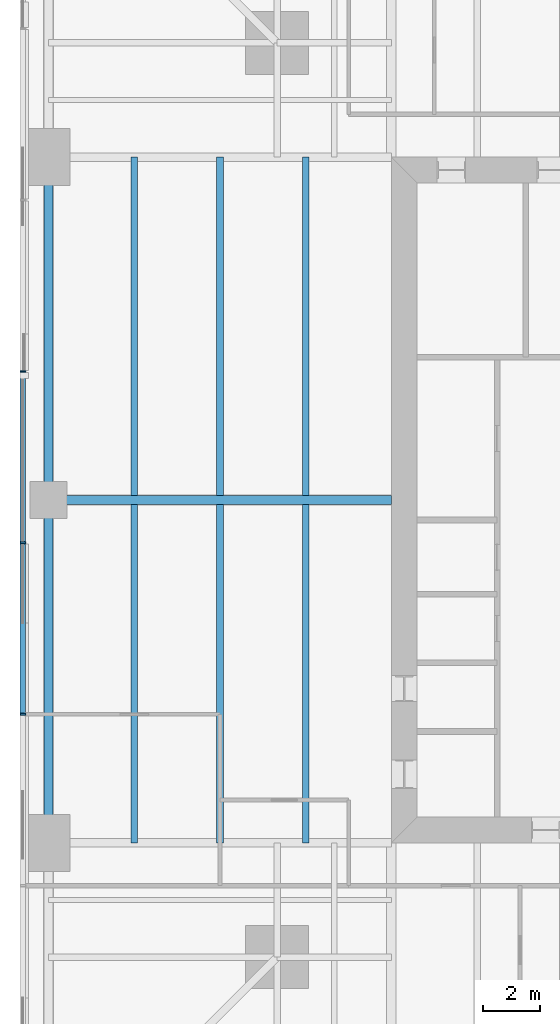
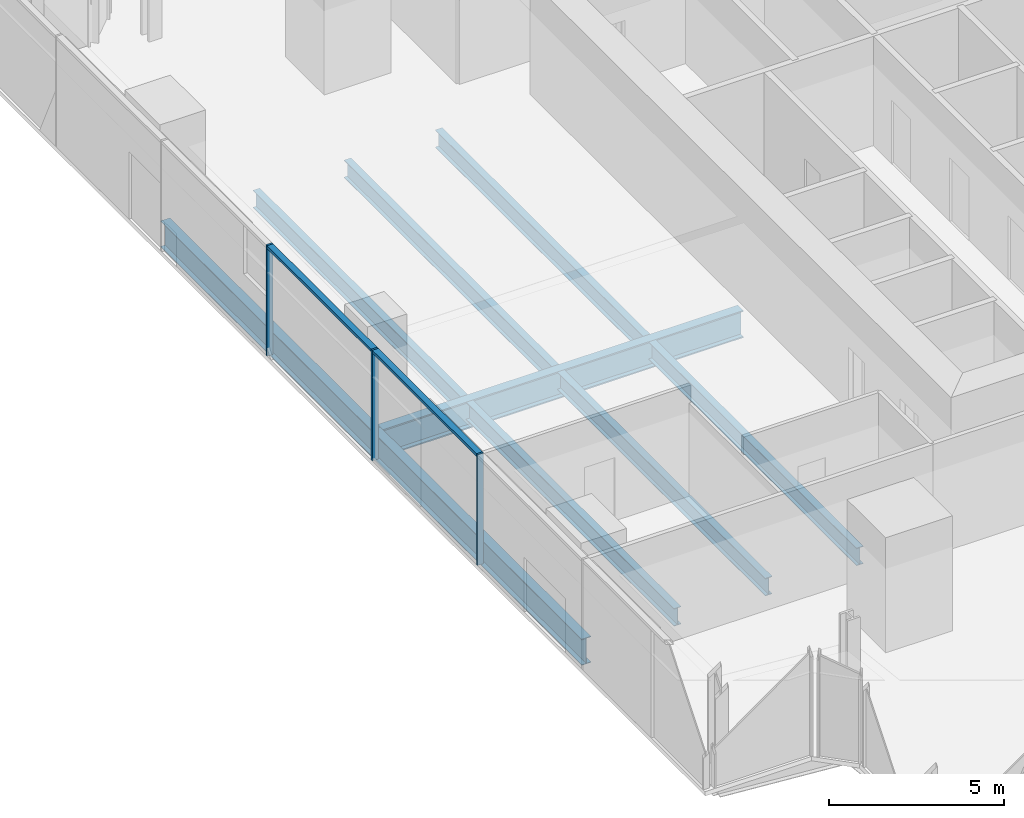
# One storey, part 4 of 14: 9 beams, 5 members, 1 element without a shape of its own.
"""IFC4 building model written with IfcOpenShell, lengths in metres."""

from ifc_helpers import new_model, si_unit, direction, frame, origin, origin_2d, place, context, subcontext, project, spatial, rectangle, i_section, extrude, material, material_profile, profile_set, type_object, element, aggregate, save


model = new_model("IFC4")

# Units and contexts
model_context = context("Model", 3, precision=1e-05, world=origin(), true_north=direction((0.0, 1.0)))
body_context = subcontext(model_context, "Body", "Model", "MODEL_VIEW")
ifc_project = project(units=[si_unit("LENGTHUNIT", "METRE"), si_unit("AREAUNIT", "SQUARE_METRE"), si_unit("VOLUMEUNIT", "CUBIC_METRE"), si_unit("PLANEANGLEUNIT", "RADIAN"), si_unit("MASSUNIT", "GRAM", prefix="KILO")], contexts=[model_context])

# Site, building, storey
site_placement = place(None, origin())
site = spatial("IfcSite", under=ifc_project, at=site_placement, CompositionType="ELEMENT")
building_placement = place(site_placement, origin())
building = spatial("IfcBuilding", under=site, at=building_placement, Name="Fenwick Lantern Interchange", CompositionType="ELEMENT")
storey_placement = place(building_placement, frame((0.0, 0.0, 154.39990234375)))
storey = spatial("IfcBuildingStorey", under=building, at=storey_placement, Name="L36", CompositionType="ELEMENT", Elevation=154.39990234375)

# Beams
ifc_material_1 = material(Name="Steel ASTM A992 Grade 50", Category="steel")
ifc_material_profile_1 = material_profile(ifc_material_1, i_section(OverallWidth=0.3046875, OverallDepth=0.911865234375, WebThickness=0.015869140625, FlangeThickness=0.02392578125, at=origin_2d()), Name="W36X150")
ifc_profile_set_1 = profile_set([ifc_material_profile_1], Name="Steel ASTM A992 Grade 50")
beam_type_1 = type_object("IfcBeamType", Name="EDGE BEAM W36X150", PredefinedType="SPANDREL", material=ifc_profile_set_1)
for number, where, z_axis, x_axis, name in (
    (1, (1.0, 37.0, -0.605712890625), (0.0, -1.0, 0.0), (1.0, 0.0, 0.0), "L36/FR/W/EB2"),
    (2, (1.0, 25.0, -0.605712890625), (0.0, -1.0, 0.0), (1.0, 0.0, 0.0), "L36/FR/W/EB3"),
):
    element("IfcBeam", number, at=place(storey_placement, frame(where, z_axis=z_axis, x_axis=x_axis)), inside=storey, type_object=beam_type_1, Name=name, PredefinedType="SPANDREL", context=body_context, shape_type="SweptSolid", body=[
        extrude(i_section(OverallWidth=0.3046875, OverallDepth=0.911865234375, WebThickness=0.015869140625, FlangeThickness=0.02392578125, at=origin_2d()), origin(), (0.0, 0.0, 1.0), 12.0),
    ])
ifc_material_profile_2 = material_profile(ifc_material_1, i_section(OverallWidth=0.22900390625, OverallDepth=0.612060546875, WebThickness=0.011962890625, FlangeThickness=0.01953125, at=origin_2d()), Name="W24X84")
ifc_profile_set_2 = profile_set([ifc_material_profile_2], Name="Steel ASTM A992 Grade 50")
beam_type_2 = type_object("IfcBeamType", Name="FLOOR BEAM W24X84", PredefinedType="BEAM", material=ifc_profile_set_2)
for number, where, z_axis, x_axis, name in (
    (3, (4.0, 37.0, -0.4560546875), (0.0, -1.0, 0.0), (1.0, 0.0, 0.0), "L36/FR/W/B01"),
    (4, (7.0, 37.0, -0.4560546875), (0.0, -1.0, 0.0), (1.0, 0.0, 0.0), "L36/FR/W/B02"),
    (5, (10.0, 37.0, -0.4560546875), (0.0, -1.0, 0.0), (1.0, 0.0, 0.0), "L36/FR/W/B03"),
    (6, (4.0, 24.844970703125, -0.4560546875), (0.0, -1.0, 0.0), (1.0, 0.0, 0.0), "L36/FR/W/B04"),
    (7, (7.0, 24.844970703125, -0.4560546875), (0.0, -1.0, 0.0), (1.0, 0.0, 0.0), "L36/FR/W/B05"),
    (8, (10.0, 24.844970703125, -0.4560546875), (0.0, -1.0, 0.0), (1.0, 0.0, 0.0), "L36/FR/W/B06"),
):
    element("IfcBeam", number, at=place(storey_placement, frame(where, z_axis=z_axis, x_axis=x_axis)), inside=storey, type_object=beam_type_2, Name=name, PredefinedType="BEAM", context=body_context, shape_type="SweptSolid", body=[
        extrude(i_section(OverallWidth=0.22900390625, OverallDepth=0.612060546875, WebThickness=0.011962890625, FlangeThickness=0.01953125, at=origin_2d()), origin(), (0.0, 0.0, 1.0), 11.844970703125),
    ])
ifc_material_profile_3 = material_profile(ifc_material_1, i_section(OverallWidth=0.309814453125, OverallDepth=0.949951171875, WebThickness=0.0244140625, FlangeThickness=0.0439453125, at=origin_2d()), Name="W36X256")
ifc_profile_set_3 = profile_set([ifc_material_profile_3], Name="Steel ASTM A992 Grade 50")
beam_type_3 = type_object("IfcBeamType", Name="MOMENT-CONNECTED GIRDER W36X256", PredefinedType="BEAM", material=ifc_profile_set_3)
beam_placement = place(storey_placement, frame((1.0, 25.0, -0.625), z_axis=(1.0, 0.0, 0.0), x_axis=(0.0, 1.0, 0.0)))
element("IfcBeam", 9, at=beam_placement, inside=storey, type_object=beam_type_3, Name="L36/FR/W/R02", PredefinedType="BEAM", context=body_context, shape_type="SweptSolid", body=[
    extrude(i_section(OverallWidth=0.309814453125, OverallDepth=0.949951171875, WebThickness=0.0244140625, FlangeThickness=0.0439453125, at=origin_2d()), origin(), (0.0, 0.0, 1.0), 12.0),
])

# Curtain wall, members
ifc_material_2 = material(Name="Aluminium curtain wall frame", Category="aluminium")
curtain_wall_type = type_object("IfcCurtainWallType", Name="OFFICE CURTAIN WALL", PredefinedType="USERDEFINED", material=ifc_material_2)
curtain_wall_placement = place(storey_placement, origin())
curtain_wall = element("IfcCurtainWall", 10, at=curtain_wall_placement, inside=storey, type_object=curtain_wall_type, Name="Office curtain wall 13", ObjectType="OFFICE CURTAIN WALL", PredefinedType="USERDEFINED")
ifc_material_3 = material(Name="Aluminium extrusion", Category="aluminium")
ifc_material_profile_4 = material_profile(ifc_material_3, rectangle(XDim=0.199951171875, YDim=0.06494140625, at=origin_2d()), Name="OFFICE CURTAIN WALL MULLION 65 X 200")
ifc_profile_set_4 = profile_set([ifc_material_profile_4], Name="Aluminium extrusion")
member_type_1 = type_object("IfcMemberType", Name="OFFICE CURTAIN WALL MULLION 65 X 200", PredefinedType="MULLION", material=ifc_profile_set_4)
member_1_placement = place(storey_placement, frame((0.10009765625, 29.5, 0.0), z_axis=(0.0, 0.0, 1.0), x_axis=(1.0, 0.0, 0.0)))
member_1 = element("IfcMember", 11, at=member_1_placement, type_object=member_type_1, Name="L36/CW/13/M03", PredefinedType="MULLION", context=body_context, shape_type="SweptSolid", body=[
    extrude(rectangle(XDim=0.199951171875, YDim=0.06494140625, at=origin_2d()), origin(), (0.0, 0.0, 1.0), 3.85009765625),
])
member_2_placement = place(storey_placement, frame((0.10009765625, 23.5, 0.0), z_axis=(0.0, 0.0, 1.0), x_axis=(1.0, 0.0, 0.0)))
member_2 = element("IfcMember", 12, at=member_2_placement, type_object=member_type_1, Name="L36/CW/13/M04", PredefinedType="MULLION", context=body_context, shape_type="SweptSolid", body=[
    extrude(rectangle(XDim=0.199951171875, YDim=0.06494140625, at=origin_2d()), origin(), (0.0, 0.0, 1.0), 3.85009765625),
])
member_3_placement = place(storey_placement, frame((0.10009765625, 17.5, 0.0), z_axis=(0.0, 0.0, 1.0), x_axis=(1.0, 0.0, 0.0)))
member_3 = element("IfcMember", 13, at=member_3_placement, type_object=member_type_1, Name="L36/CW/13/M05", PredefinedType="MULLION", context=body_context, shape_type="SweptSolid", body=[
    extrude(rectangle(XDim=0.199951171875, YDim=0.06494140625, at=origin_2d()), origin(), (0.0, 0.0, 1.0), 3.85009765625),
])
ifc_material_profile_5 = material_profile(ifc_material_3, rectangle(XDim=0.199951171875, YDim=0.10009765625, at=origin_2d()), Name="OFFICE CURTAIN WALL TRANSOM 100 X 200")
ifc_profile_set_5 = profile_set([ifc_material_profile_5], Name="Aluminium extrusion")
member_type_2 = type_object("IfcMemberType", Name="OFFICE CURTAIN WALL TRANSOM 100 X 200", PredefinedType="MULLION", material=ifc_profile_set_5)
member_4_placement = place(storey_placement, frame((0.10009765625, 29.467529296875, 3.800048828125), z_axis=(0.0, -1.0, 0.0), x_axis=(1.0, 0.0, 0.0)))
member_4 = element("IfcMember", 14, at=member_4_placement, type_object=member_type_2, Name="L36/CW/13/T03", PredefinedType="MULLION", context=body_context, shape_type="SweptSolid", body=[
    extrude(rectangle(XDim=0.199951171875, YDim=0.10009765625, at=origin_2d()), origin(), (0.0, 0.0, 1.0), 5.93505859375),
])
member_5_placement = place(storey_placement, frame((0.10009765625, 23.467529296875, 3.800048828125), z_axis=(0.0, -1.0, 0.0), x_axis=(1.0, 0.0, 0.0)))
member_5 = element("IfcMember", 15, at=member_5_placement, type_object=member_type_2, Name="L36/CW/13/T04", PredefinedType="MULLION", context=body_context, shape_type="SweptSolid", body=[
    extrude(rectangle(XDim=0.199951171875, YDim=0.10009765625, at=origin_2d()), origin(), (0.0, 0.0, 1.0), 5.93505859375),
])
aggregate(curtain_wall, [member_1, member_2, member_3, member_4, member_5])

save(model, "model.ifc")
